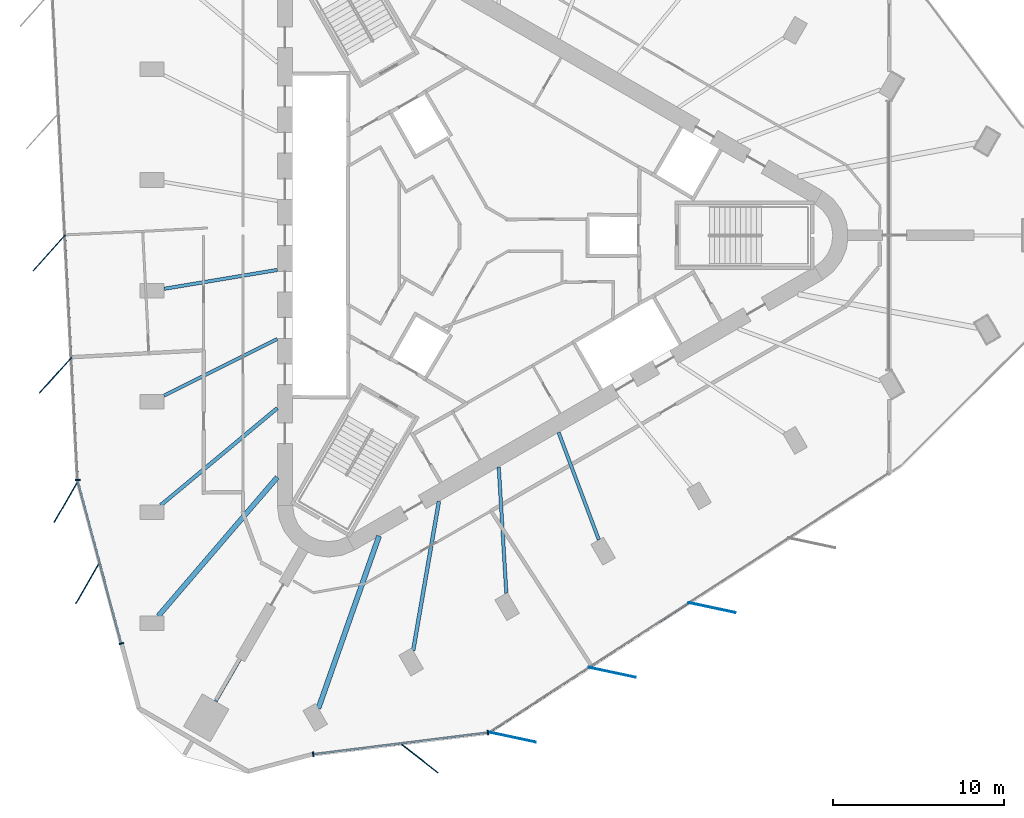
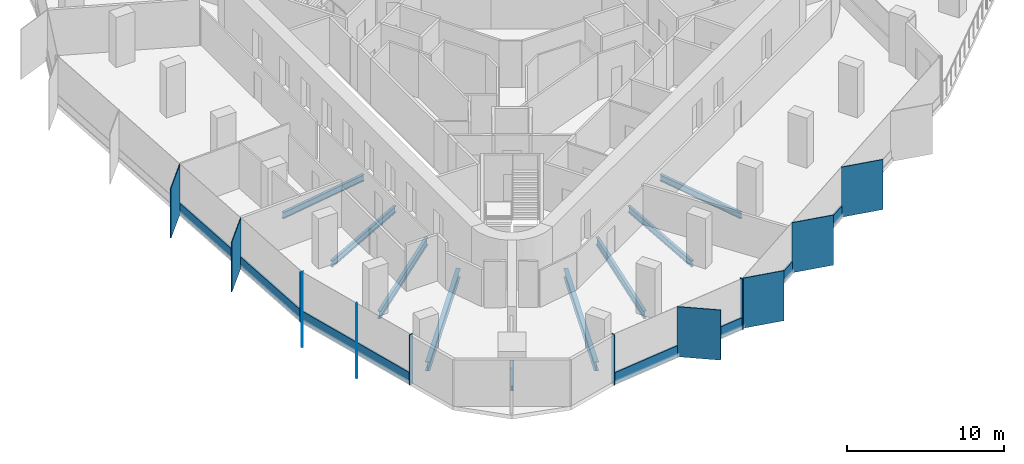
# One storey, part 2 of 12: 20 members, 9 beams, 4 elements without a shape of their own.
"""IFC4 building model written with IfcOpenShell, lengths in metres."""

from ifc_helpers import new_model, si_unit, direction, frame, origin, origin_2d, place, context, subcontext, project, spatial, rectangle, i_section, extrude, material, material_profile, profile_set, type_object, element, aggregate, save


model = new_model("IFC4")

# Units and contexts
model_context = context("Model", 3, precision=1e-05, world=origin(), true_north=direction((0.0, 1.0)))
body_context = subcontext(model_context, "Body", "Model", "MODEL_VIEW")
ifc_project = project(units=[si_unit("LENGTHUNIT", "METRE"), si_unit("AREAUNIT", "SQUARE_METRE"), si_unit("VOLUMEUNIT", "CUBIC_METRE"), si_unit("PLANEANGLEUNIT", "RADIAN"), si_unit("MASSUNIT", "GRAM", prefix="KILO")], contexts=[model_context])

# Site, building, storey
site_placement = place(None, origin())
site = spatial("IfcSite", under=ifc_project, at=site_placement, CompositionType="ELEMENT")
building_placement = place(site_placement, origin())
building = spatial("IfcBuilding", under=site, at=building_placement, Name="Tanit Gate Tower", CompositionType="ELEMENT")
storey_placement = place(building_placement, frame((0.0, 0.0, 361.10009765625)))
storey = spatial("IfcBuildingStorey", under=building, at=storey_placement, Name="L82", CompositionType="ELEMENT", Elevation=361.10009765625)

# Curtain wall, members
ifc_material_1 = material(Name="Aluminium bronze anodised and glass", Category="aluminium")
curtain_wall_type = type_object("IfcCurtainWallType", Name="Curtain wall typical high", PredefinedType="NOTDEFINED", material=ifc_material_1)
curtain_wall_1_placement = place(storey_placement, origin())
curtain_wall_1 = element("IfcCurtainWall", 1, at=curtain_wall_1_placement, inside=storey, type_object=curtain_wall_type, Name="Curtain wall L82 W2", PredefinedType="NOTDEFINED")
ifc_material_2 = material(Name="Aluminium bronze anodised", Category="aluminium")
ifc_material_profile_1 = material_profile(ifc_material_2, rectangle(XDim=2.800048828125, YDim=0.055908203125, at=origin_2d()), Name="56x2800 bronze fin mullion")
ifc_profile_set_1 = profile_set([ifc_material_profile_1], Name="Aluminium bronze anodised")
member_type_1 = type_object("IfcMemberType", Name="FIN MULLION 56x2800 bronze", PredefinedType="MULLION", material=ifc_profile_set_1)
member_1_placement = place(storey_placement, frame((-25.40966796875, -1.026611328125, -0.300048828125), z_axis=(0.0, 0.0, 1.0), x_axis=(0.66948111798, 0.742829073656, 0.0)))
member_1 = element("IfcMember", 2, at=member_1_placement, type_object=member_type_1, Name="Fin mullion L82 W2.3", PredefinedType="MULLION", context=body_context, shape_type="SweptSolid", body=[
    extrude(rectangle(XDim=2.800048828125, YDim=0.055908203125, at=origin_2d()), origin(), (0.0, 0.0, 1.0), 3.89990234375),
])
member_2_placement = place(storey_placement, frame((-25.0390625, -8.15966796875, -0.300048828125), z_axis=(0.0, 0.0, 1.0), x_axis=(0.66948111798, 0.742829073656, 0.0)))
member_2 = element("IfcMember", 3, at=member_2_placement, type_object=member_type_1, Name="Fin mullion L82 W2.4", PredefinedType="MULLION", context=body_context, shape_type="SweptSolid", body=[
    extrude(rectangle(XDim=2.800048828125, YDim=0.055908203125, at=origin_2d()), origin(), (0.0, 0.0, 1.0), 3.89990234375),
])

curtain_wall_2_placement = place(storey_placement, origin())
curtain_wall_2 = element("IfcCurtainWall", 4, at=curtain_wall_2_placement, inside=storey, type_object=curtain_wall_type, Name="Curtain wall L82 W3", PredefinedType="NOTDEFINED")
member_3_placement = place(storey_placement, frame((-24.4228515625, -15.541259765625, -0.300048828125), z_axis=(0.0, 0.0, 1.0), x_axis=(0.500271667571, 0.865868499615, 0.0)))
member_3 = element("IfcMember", 5, at=member_3_placement, type_object=member_type_1, Name="Fin mullion L82 W3.1", PredefinedType="MULLION", context=body_context, shape_type="SweptSolid", body=[
    extrude(rectangle(XDim=2.800048828125, YDim=0.055908203125, at=origin_2d()), origin(), (0.0, 0.0, 1.0), 3.89990234375),
])
member_4_placement = place(storey_placement, frame((-23.15673828125, -20.27197265625, -0.300048828125), z_axis=(0.0, 0.0, 1.0), x_axis=(0.500271667571, 0.865868499615, 0.0)))
member_4 = element("IfcMember", 6, at=member_4_placement, type_object=member_type_1, Name="Fin mullion L82 W3.2", PredefinedType="MULLION", context=body_context, shape_type="SweptSolid", body=[
    extrude(rectangle(XDim=2.800048828125, YDim=0.055908203125, at=origin_2d()), origin(), (0.0, 0.0, 1.0), 3.89990234375),
])

# Curtain wall, member
curtain_wall_3_placement = place(storey_placement, origin())
curtain_wall_3 = element("IfcCurtainWall", 7, at=curtain_wall_3_placement, inside=storey, type_object=curtain_wall_type, Name="Curtain wall L82 SE1", PredefinedType="NOTDEFINED")
member_5_placement = place(storey_placement, frame((-3.822998046875, -30.4853515625, -0.300048828125), z_axis=(0.0, 0.0, 1.0), x_axis=(-0.788562382323, 0.614954770032, 0.0)))
member_5 = element("IfcMember", 8, at=member_5_placement, type_object=member_type_1, Name="Fin mullion L82 SE1.2", PredefinedType="MULLION", context=body_context, shape_type="SweptSolid", body=[
    extrude(rectangle(XDim=2.800048828125, YDim=0.055908203125, at=origin_2d()), origin(), (0.0, 0.0, 1.0), 3.89990234375),
])

# Curtain wall, members
curtain_wall_4_placement = place(storey_placement, origin())
curtain_wall_4 = element("IfcCurtainWall", 9, at=curtain_wall_4_placement, inside=storey, type_object=curtain_wall_type, Name="Curtain wall L82 SE2c", PredefinedType="NOTDEFINED")
member_6_placement = place(storey_placement, frame((1.609130859375, -29.26708984375, -0.300048828125), z_axis=(0.0, 0.0, 1.0), x_axis=(-0.978049407445, 0.208373118697, 0.0)))
member_6 = element("IfcMember", 10, at=member_6_placement, type_object=member_type_1, Name="Fin mullion L82 SE2c.1", PredefinedType="MULLION", context=body_context, shape_type="SweptSolid", body=[
    extrude(rectangle(XDim=2.800048828125, YDim=0.055908203125, at=origin_2d()), origin(), (0.0, 0.0, 1.0), 3.89990234375),
])
member_7_placement = place(storey_placement, frame((7.43115234375, -25.489990234375, -0.300048828125), z_axis=(0.0, 0.0, 1.0), x_axis=(-0.978049407445, 0.208373118697, 0.0)))
member_7 = element("IfcMember", 11, at=member_7_placement, type_object=member_type_1, Name="Fin mullion L82 SE2c.2", PredefinedType="MULLION", context=body_context, shape_type="SweptSolid", body=[
    extrude(rectangle(XDim=2.800048828125, YDim=0.055908203125, at=origin_2d()), origin(), (0.0, 0.0, 1.0), 3.89990234375),
])
member_8_placement = place(storey_placement, frame((13.2529296875, -21.713134765625, -0.300048828125), z_axis=(0.0, 0.0, 1.0), x_axis=(-0.978049407445, 0.208373118697, 0.0)))
member_8 = element("IfcMember", 12, at=member_8_placement, type_object=member_type_1, Name="Fin mullion L82 SE2c.3", PredefinedType="MULLION", context=body_context, shape_type="SweptSolid", body=[
    extrude(rectangle(XDim=2.800048828125, YDim=0.055908203125, at=origin_2d()), origin(), (0.0, 0.0, 1.0), 3.89990234375),
])

# Member
ifc_material_3 = material(Name="Aluminium bronze anodised", Category="aluminium")
ifc_material_profile_2 = material_profile(ifc_material_3, rectangle(XDim=0.280029296875, YDim=0.080078125, at=origin_2d()), Name="80x280 bronze mullion")
ifc_profile_set_2 = profile_set([ifc_material_profile_2], Name="Aluminium bronze anodised")
member_type_2 = type_object("IfcMemberType", Name="Mullion 80x280 typical high", PredefinedType="MULLION", material=ifc_profile_set_2)
member_9_placement = place(storey_placement, frame((-23.74462890625, -14.267578125, -0.300048828125), z_axis=(0.0, 0.0, 1.0), x_axis=(0.998654113645, 0.051864836844, 0.0)))
member_9 = element("IfcMember", 13, at=member_9_placement, type_object=member_type_2, Name="Mullion L82 W2.5", PredefinedType="MULLION", context=body_context, shape_type="SweptSolid", body=[
    extrude(rectangle(XDim=0.280029296875, YDim=0.080078125, at=origin_2d()), origin(), (0.0, 0.0, 1.0), 3.89990234375),
])

member_10_placement = place(storey_placement, frame((-21.2001953125, -23.8076171875, -0.300048828125), z_axis=(0.0, 0.0, 1.0), x_axis=(0.966006976269, 0.258515999119, 0.0)))
member_10 = element("IfcMember", 14, at=member_10_placement, type_object=member_type_2, Name="Mullion L82 W3.3", PredefinedType="MULLION", context=body_context, shape_type="SweptSolid", body=[
    extrude(rectangle(XDim=0.280029296875, YDim=0.080078125, at=origin_2d()), origin(), (0.0, 0.0, 1.0), 3.89990234375),
])

member_11_placement = place(storey_placement, frame((-10.0087890625, -30.26708984375, -0.300048828125), z_axis=(0.0, 0.0, 1.0), x_axis=(-0.122759119916, 0.992436495942, 0.0)))
member_11 = element("IfcMember", 15, at=member_11_placement, type_object=member_type_2, Name="Mullion L82 SE1.1", PredefinedType="MULLION", context=body_context, shape_type="SweptSolid", body=[
    extrude(rectangle(XDim=0.280029296875, YDim=0.080078125, at=origin_2d()), origin(), (0.0, 0.0, 1.0), 3.89990234375),
])

member_12_placement = place(storey_placement, frame((0.18603515625, -29.006103515625, -0.300048828125), z_axis=(0.0, 0.0, 1.0), x_axis=(-0.122759119916, 0.992436495942, 0.0)))
member_12 = element("IfcMember", 16, at=member_12_placement, type_object=member_type_2, Name="Mullion L82 SE1.3", PredefinedType="MULLION", context=body_context, shape_type="SweptSolid", body=[
    extrude(rectangle(XDim=0.280029296875, YDim=0.080078125, at=origin_2d()), origin(), (0.0, 0.0, 1.0), 3.89990234375),
])

# Beams
ifc_material_4 = material(Name="Steel S355", Category="steel")
ifc_material_profile_3 = material_profile(ifc_material_4, i_section(OverallWidth=0.300048828125, OverallDepth=0.68994140625, WebThickness=0.014404296875, FlangeThickness=0.027099609375, FilletRadius=0.027099609375, at=origin_2d()), Name="HEA 700")
ifc_profile_set_3 = profile_set([ifc_material_profile_3], Name="Steel S355")
beam_type_1 = type_object("IfcBeamType", Name="RADIAL GIRDER HEA 700 S355", PredefinedType="BEAM", material=ifc_profile_set_3)
beam_1_placement = place(storey_placement, frame((-19.041259765625, -22.198486328125, -0.64501953125), z_axis=(0.651064859014, 0.759022100704, 0.0), x_axis=(-0.759022100704, 0.651064859014, 0.0)))
element("IfcBeam", 17, at=beam_1_placement, inside=storey, type_object=beam_type_1, Name="RADIAL GIRDER", PredefinedType="BEAM", context=body_context, shape_type="SweptSolid", body=[
    extrude(i_section(OverallWidth=0.300048828125, OverallDepth=0.68994140625, WebThickness=0.014404296875, FlangeThickness=0.027099609375, FilletRadius=0.027099609375, at=origin_2d()), origin(), (0.0, 0.0, 1.0), 10.658203125),
])
beam_2_placement = place(storey_placement, frame((-9.703857421875, -27.589599609375, -0.64501953125), z_axis=(0.331790708443, 0.943353022887, 0.0), x_axis=(-0.943353022887, 0.331790708443, 0.0)))
element("IfcBeam", 18, at=beam_2_placement, inside=storey, type_object=beam_type_1, Name="RADIAL GIRDER", PredefinedType="BEAM", context=body_context, shape_type="SweptSolid", body=[
    extrude(i_section(OverallWidth=0.300048828125, OverallDepth=0.68994140625, WebThickness=0.014404296875, FlangeThickness=0.027099609375, FilletRadius=0.027099609375, at=origin_2d()), origin(), (0.0, 0.0, 1.0), 10.658447265625),
])
ifc_material_5 = material(Name="Steel S355", Category="steel")
ifc_material_profile_4 = material_profile(ifc_material_5, i_section(OverallWidth=0.179931640625, OverallDepth=0.39990234375, WebThickness=0.008544921875, FlangeThickness=0.013427734375, FilletRadius=0.02099609375, at=origin_2d()), Name="IPE 400")
ifc_profile_set_4 = profile_set([ifc_material_profile_4], Name="Steel S355")
beam_type_2 = type_object("IfcBeamType", Name="RADIAL GIRDER IPE 400 S355", PredefinedType="BEAM", material=ifc_profile_set_4)
beam_3_placement = place(storey_placement, frame((-15.69580078125, -27.185791015625, -0.5), z_axis=(0.500068051468, 0.865986110686, 0.0), x_axis=(-0.865986110686, 0.500068051468, 0.0)))
element("IfcBeam", 19, at=beam_3_placement, inside=storey, type_object=beam_type_2, Name="RADIAL GIRDER", PredefinedType="BEAM", context=body_context, shape_type="SweptSolid", body=[
    extrude(i_section(OverallWidth=0.179931640625, OverallDepth=0.39990234375, WebThickness=0.008544921875, FlangeThickness=0.013427734375, FilletRadius=0.02099609375, at=origin_2d()), origin(), (0.0, 0.0, 1.0), 2.853515625),
])
ifc_material_6 = material(Name="Steel S355", Category="steel")
ifc_material_profile_5 = material_profile(ifc_material_6, i_section(OverallWidth=0.199951171875, OverallDepth=0.5, WebThickness=0.01025390625, FlangeThickness=0.01611328125, FilletRadius=0.02099609375, at=origin_2d()), Name="IPE 500")
ifc_profile_set_5 = profile_set([ifc_material_profile_5], Name="Steel S355")
beam_type_3 = type_object("IfcBeamType", Name="RADIAL GIRDER IPE 500 S355", PredefinedType="BEAM", material=ifc_profile_set_5)
beam_4_placement = place(storey_placement, frame((-18.705810546875, -3.115234375, -0.550048828125), z_axis=(0.986412644048, 0.164286626546, 0.0), x_axis=(-0.164286626546, 0.986412644048, 0.0)))
element("IfcBeam", 20, at=beam_4_placement, inside=storey, type_object=beam_type_3, Name="RADIAL GIRDER", PredefinedType="BEAM", context=body_context, shape_type="SweptSolid", body=[
    extrude(i_section(OverallWidth=0.199951171875, OverallDepth=0.5, WebThickness=0.01025390625, FlangeThickness=0.01611328125, FilletRadius=0.02099609375, at=origin_2d()), origin(), (0.0, 0.0, 1.0), 6.69482421875),
])
beam_5_placement = place(storey_placement, frame((-18.705810546875, -9.34619140625, -0.550048828125), z_axis=(0.894552827641, 0.44696223393, 0.0), x_axis=(-0.44696223393, 0.894552827641, 0.0)))
element("IfcBeam", 21, at=beam_5_placement, inside=storey, type_object=beam_type_3, Name="RADIAL GIRDER", PredefinedType="BEAM", context=body_context, shape_type="SweptSolid", body=[
    extrude(i_section(OverallWidth=0.199951171875, OverallDepth=0.5, WebThickness=0.01025390625, FlangeThickness=0.01611328125, FilletRadius=0.02099609375, at=origin_2d()), origin(), (0.0, 0.0, 1.0), 7.382080078125),
])
beam_6_placement = place(storey_placement, frame((1.259033203125, -20.872802734375, -0.550048828125), z_axis=(-0.060222471201, 0.998184979832, 0.0), x_axis=(-0.998184979832, -0.060222471201, 0.0)))
element("IfcBeam", 22, at=beam_6_placement, inside=storey, type_object=beam_type_3, Name="RADIAL GIRDER", PredefinedType="BEAM", context=body_context, shape_type="SweptSolid", body=[
    extrude(i_section(OverallWidth=0.199951171875, OverallDepth=0.5, WebThickness=0.01025390625, FlangeThickness=0.01611328125, FilletRadius=0.02099609375, at=origin_2d()), origin(), (0.0, 0.0, 1.0), 7.38232421875),
])
beam_7_placement = place(storey_placement, frame((6.655029296875, -17.75732421875, -0.550048828125), z_axis=(-0.350955589185, 0.93639210506, 0.0), x_axis=(-0.93639210506, -0.350955589185, 0.0)))
element("IfcBeam", 23, at=beam_7_placement, inside=storey, type_object=beam_type_3, Name="RADIAL GIRDER", PredefinedType="BEAM", context=body_context, shape_type="SweptSolid", body=[
    extrude(i_section(OverallWidth=0.199951171875, OverallDepth=0.5, WebThickness=0.01025390625, FlangeThickness=0.01611328125, FilletRadius=0.02099609375, at=origin_2d()), origin(), (0.0, 0.0, 1.0), 6.69482421875),
])
ifc_material_7 = material(Name="Steel S355", Category="steel")
ifc_material_profile_6 = material_profile(ifc_material_7, i_section(OverallWidth=0.219970703125, OverallDepth=0.60009765625, WebThickness=0.011962890625, FlangeThickness=0.01904296875, FilletRadius=0.02392578125, at=origin_2d()), Name="IPE 600")
ifc_profile_set_6 = profile_set([ifc_material_profile_6], Name="Steel S355")
beam_type_4 = type_object("IfcBeamType", Name="RADIAL GIRDER IPE 600 S355", PredefinedType="BEAM", material=ifc_profile_set_6)
beam_8_placement = place(storey_placement, frame((-18.8955078125, -15.734619140625, -0.60009765625), z_axis=(0.768456646973, 0.639901853195, 0.0), x_axis=(-0.639901853195, 0.768456646973, 0.0)))
element("IfcBeam", 24, at=beam_8_placement, inside=storey, type_object=beam_type_4, Name="RADIAL GIRDER", PredefinedType="BEAM", context=body_context, shape_type="SweptSolid", body=[
    extrude(i_section(OverallWidth=0.219970703125, OverallDepth=0.60009765625, WebThickness=0.011962890625, FlangeThickness=0.01904296875, FilletRadius=0.02392578125, at=origin_2d()), origin(), (0.0, 0.0, 1.0), 8.84033203125),
])
beam_9_placement = place(storey_placement, frame((-4.178955078125, -24.231201171875, -0.60009765625), z_axis=(0.169949456618, 0.985452780297, 0.0), x_axis=(-0.985452780297, 0.169949456618, 0.0)))
element("IfcBeam", 25, at=beam_9_placement, inside=storey, type_object=beam_type_4, Name="RADIAL GIRDER", PredefinedType="BEAM", context=body_context, shape_type="SweptSolid", body=[
    extrude(i_section(OverallWidth=0.219970703125, OverallDepth=0.60009765625, WebThickness=0.011962890625, FlangeThickness=0.01904296875, FilletRadius=0.02392578125, at=origin_2d()), origin(), (0.0, 0.0, 1.0), 8.840576171875),
])

# Member
ifc_material_8 = material(Name="Aluminium bronze anodised", Category="aluminium")
ifc_material_profile_7 = material_profile(ifc_material_8, rectangle(XDim=0.1201171875, YDim=0.89990234375, at=origin_2d()), Name="120x900 bronze transom")
ifc_profile_set_7 = profile_set([ifc_material_profile_7], Name="Aluminium bronze anodised")
member_type_3 = type_object("IfcMemberType", Name="Transom 120x900 typical high", PredefinedType="USERDEFINED", material=ifc_profile_set_7)
member_13_placement = place(storey_placement, frame((-24.483642578125, -0.041259765625, 0.14990234375), z_axis=(0.051885711215, -0.998653029321, 0.0), x_axis=(0.998653029321, 0.051885711215, 0.0)))
member_13 = element("IfcMember", 26, at=member_13_placement, type_object=member_type_3, Name="Transom L82 W2.3", ObjectType="TRANSOM", PredefinedType="USERDEFINED", context=body_context, shape_type="SweptSolid", body=[
    extrude(rectangle(XDim=0.1201171875, YDim=0.89990234375, at=origin_2d()), origin(), (0.0, 0.0, 1.0), 7.062744140625),
])

member_14_placement = place(storey_placement, frame((-24.113037109375, -7.17431640625, 0.14990234375), z_axis=(0.051849446859, -0.9986549128, 0.0), x_axis=(0.9986549128, 0.051849446859, 0.0)))
member_14 = element("IfcMember", 27, at=member_14_placement, type_object=member_type_3, Name="Transom L82 W2.4", ObjectType="TRANSOM", PredefinedType="USERDEFINED", context=body_context, shape_type="SweptSolid", body=[
    extrude(rectangle(XDim=0.1201171875, YDim=0.89990234375, at=origin_2d()), origin(), (0.0, 0.0, 1.0), 7.06298828125),
])

aggregate(curtain_wall_1, [member_1, member_2, member_9, member_13, member_14])

member_15_placement = place(storey_placement, frame((-23.721923828125, -14.385009765625, 0.14990234375), z_axis=(0.258530032943, -0.966003220526, 0.0), x_axis=(0.966003220526, 0.258530032943, 0.0)))
member_15 = element("IfcMember", 28, at=member_15_placement, type_object=member_type_3, Name="Transom L82 W3.1", ObjectType="TRANSOM", PredefinedType="USERDEFINED", context=body_context, shape_type="SweptSolid", body=[
    extrude(rectangle(XDim=0.1201171875, YDim=0.89990234375, at=origin_2d()), origin(), (0.0, 0.0, 1.0), 4.817138671875),
])

member_16_placement = place(storey_placement, frame((-22.455810546875, -19.11572265625, 0.14990234375), z_axis=(0.258482737276, -0.966015876956, 0.0), x_axis=(0.966015876956, 0.258482737276, 0.0)))
member_16 = element("IfcMember", 29, at=member_16_placement, type_object=member_type_3, Name="Transom L82 W3.2", ObjectType="TRANSOM", PredefinedType="USERDEFINED", context=body_context, shape_type="SweptSolid", body=[
    extrude(rectangle(XDim=0.1201171875, YDim=0.89990234375, at=origin_2d()), origin(), (0.0, 0.0, 1.0), 4.817138671875),
])

aggregate(curtain_wall_2, [member_3, member_4, member_10, member_15, member_16])

member_17_placement = place(storey_placement, frame((-9.96923828125, -30.26220703125, 0.14990234375), z_axis=(0.99243896969, 0.122739119439, 0.0), x_axis=(-0.122739119439, 0.99243896969, 0.0)))
member_17 = element("IfcMember", 30, at=member_17_placement, type_object=member_type_3, Name="Transom L82 SE1.1", ObjectType="TRANSOM", PredefinedType="USERDEFINED", context=body_context, shape_type="SweptSolid", body=[
    extrude(rectangle(XDim=0.1201171875, YDim=0.89990234375, at=origin_2d()), origin(), (0.0, 0.0, 1.0), 5.056396484375),
])

member_18_placement = place(storey_placement, frame((-4.87158203125, -29.631591796875, 0.14990234375), z_axis=(0.99243896969, 0.122739119439, 0.0), x_axis=(-0.122739119439, 0.99243896969, 0.0)))
member_18 = element("IfcMember", 31, at=member_18_placement, type_object=member_type_3, Name="Transom L82 SE1.2", ObjectType="TRANSOM", PredefinedType="USERDEFINED", context=body_context, shape_type="SweptSolid", body=[
    extrude(rectangle(XDim=0.1201171875, YDim=0.89990234375, at=origin_2d()), origin(), (0.0, 0.0, 1.0), 5.056396484375),
])

aggregate(curtain_wall_3, [member_11, member_5, member_12, member_17, member_18])

member_19_placement = place(storey_placement, frame((0.29296875, -28.95751953125, 0.14990234375), z_axis=(0.838933617688, 0.544233759623, 0.0), x_axis=(-0.544233759623, 0.838933617688, 0.0)))
member_19 = element("IfcMember", 32, at=member_19_placement, type_object=member_type_3, Name="Transom L82 SE2c.1", ObjectType="TRANSOM", PredefinedType="USERDEFINED", context=body_context, shape_type="SweptSolid", body=[
    extrude(rectangle(XDim=0.1201171875, YDim=0.89990234375, at=origin_2d()), origin(), (0.0, 0.0, 1.0), 6.859375),
])

member_20_placement = place(storey_placement, frame((6.11474609375, -25.1806640625, 0.14990234375), z_axis=(0.838927909515, 0.544242558642, 0.0), x_axis=(-0.544242558642, 0.838927909515, 0.0)))
member_20 = element("IfcMember", 33, at=member_20_placement, type_object=member_type_3, Name="Transom L82 SE2c.2", ObjectType="TRANSOM", PredefinedType="USERDEFINED", context=body_context, shape_type="SweptSolid", body=[
    extrude(rectangle(XDim=0.1201171875, YDim=0.89990234375, at=origin_2d()), origin(), (0.0, 0.0, 1.0), 6.85986328125),
])

aggregate(curtain_wall_4, [member_6, member_7, member_8, member_19, member_20])

save(model, "model.ifc")
